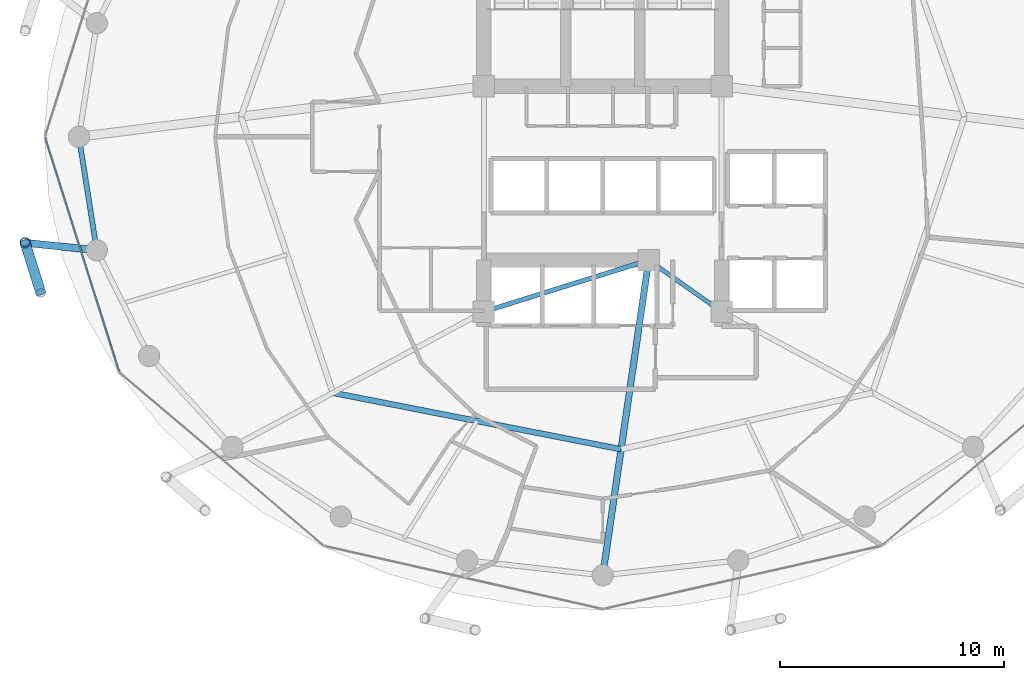
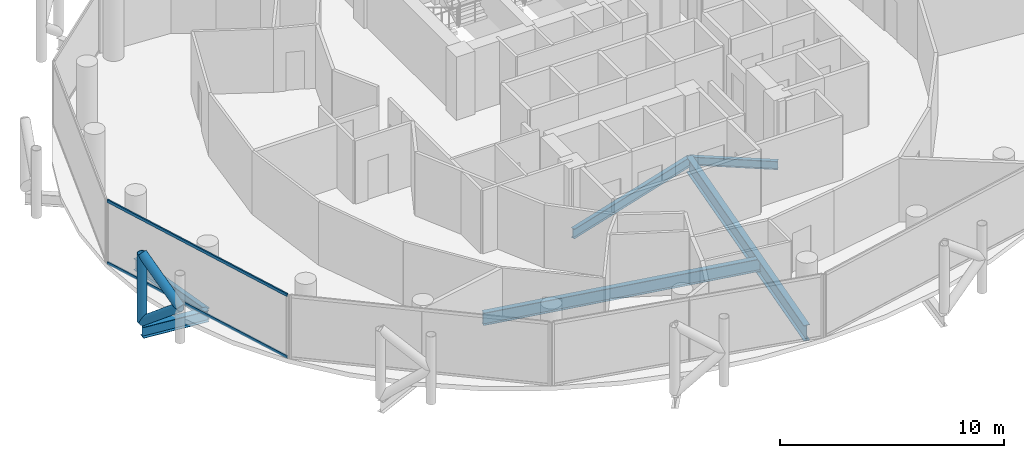
# One storey, part 5 of 26: 6 beams, 5 members, 1 element without a shape of its own.
"""IFC4 building model written with IfcOpenShell, lengths in metres."""

from ifc_helpers import new_model, si_unit, direction, frame, origin, origin_2d, place, context, subcontext, project, spatial, hollow_rectangle, hollow_circle, i_section, extrude, material, layer, layer_set, material_profile, profile_set, type_object, element, aggregate, save


model = new_model("IFC4")

# Units and contexts
model_context = context("Model", 3, precision=1e-05, world=origin(), true_north=direction((0.0, 1.0)))
body_context = subcontext(model_context, "Body", "Model", "MODEL_VIEW")
ifc_project = project(units=[si_unit("LENGTHUNIT", "METRE"), si_unit("AREAUNIT", "SQUARE_METRE"), si_unit("VOLUMEUNIT", "CUBIC_METRE"), si_unit("PLANEANGLEUNIT", "RADIAN"), si_unit("MASSUNIT", "GRAM", prefix="KILO")], contexts=[model_context])

# Site, building, storey
site_placement = place(None, origin())
site = spatial("IfcSite", under=ifc_project, at=site_placement, CompositionType="ELEMENT")
building_placement = place(site_placement, origin())
building = spatial("IfcBuilding", under=site, at=building_placement, Name="Nuhasar Tower", CompositionType="ELEMENT")
storey_placement = place(building_placement, frame((0.0, 0.0, 166.35009765625)))
storey = spatial("IfcBuildingStorey", under=building, at=storey_placement, Name="L40", CompositionType="ELEMENT", Elevation=166.35009765625)

# Beams
ifc_material_1 = material(Name="Steel S355", Category="steel")
ifc_material_profile_1 = material_profile(ifc_material_1, i_section(OverallWidth=0.25390625, OverallDepth=0.68408203125, WebThickness=0.012451171875, FlangeThickness=0.018798828125, at=origin_2d()), Name="W27X94")
ifc_profile_set_1 = profile_set([ifc_material_profile_1], Name="Steel S355")
beam_type_1 = type_object("IfcBeamType", Name="BM-INRING-W27X94", PredefinedType="BEAM", material=ifc_profile_set_1)
beam_1_placement = place(storey_placement, frame((26.972900390625, 15.385986328125, -0.592041015625), z_axis=(0.981359637088, -0.192180286956, 0.0), x_axis=(0.192180286956, 0.981359637088, 0.0)))
element("IfcBeam", 1, at=beam_1_placement, inside=storey, type_object=beam_type_1, Name="L40 Inner Header Beam 01", PredefinedType="BEAM", context=body_context, shape_type="SweptSolid", body=[
    extrude(i_section(OverallWidth=0.25390625, OverallDepth=0.68408203125, WebThickness=0.012451171875, FlangeThickness=0.018798828125, at=origin_2d()), origin(), (0.0, 0.0, 1.0), 13.09130859375),
])
ifc_material_profile_2 = material_profile(ifc_material_1, i_section(OverallWidth=0.2919921875, OverallDepth=0.85888671875, WebThickness=0.01708984375, FlangeThickness=0.031005859375, at=origin_2d()), Name="W33X169")
ifc_profile_set_2 = profile_set([ifc_material_profile_2], Name="Steel S355")
beam_type_2 = type_object("IfcBeamType", Name="BM-POD-W33X169", PredefinedType="BEAM", material=ifc_profile_set_2)
beam_2_placement = place(storey_placement, frame((41.050048828125, 21.300048828125, -0.67919921875), z_axis=(-0.144381604017, -0.989522082837, 0.0), x_axis=(0.989522082837, -0.144381604017, 0.0)))
element("IfcBeam", 2, at=beam_2_placement, inside=storey, type_object=beam_type_2, Name="L40 Radial Floor Girder 02", PredefinedType="BEAM", context=body_context, shape_type="SweptSolid", body=[
    extrude(i_section(OverallWidth=0.2919921875, OverallDepth=0.85888671875, WebThickness=0.01708984375, FlangeThickness=0.031005859375, at=origin_2d()), origin(), (0.0, 0.0, 1.0), 14.19873046875),
])
ifc_material_profile_3 = material_profile(ifc_material_1, i_section(OverallWidth=0.18994140625, OverallDepth=0.45703125, WebThickness=0.009033203125, FlangeThickness=0.014404296875, at=origin_2d()), Name="W18X50")
ifc_profile_set_3 = profile_set([ifc_material_profile_3], Name="Steel S355")
beam_type_3 = type_object("IfcBeamType", Name="BM-RAD-W18X50", PredefinedType="BEAM", material=ifc_profile_set_3)
beam_3_placement = place(storey_placement, frame((41.050048828125, 21.300048828125, -0.47900390625), z_axis=(0.816265428953, -0.577677028708, 0.0), x_axis=(0.577677028708, 0.816265428953, 0.0)))
element("IfcBeam", 3, at=beam_3_placement, inside=storey, type_object=beam_type_3, Name="L40 Core Ring Girder 2", PredefinedType="BEAM", context=body_context, shape_type="SweptSolid", body=[
    extrude(i_section(OverallWidth=0.18994140625, OverallDepth=0.45703125, WebThickness=0.009033203125, FlangeThickness=0.014404296875, at=origin_2d()), origin(), (0.0, 0.0, 1.0), 3.9814453125),
])
ifc_material_profile_4 = material_profile(ifc_material_1, i_section(OverallWidth=0.208984375, OverallDepth=0.532958984375, WebThickness=0.01025390625, FlangeThickness=0.015625, at=origin_2d()), Name="W21X62")
ifc_profile_set_4 = profile_set([ifc_material_profile_4], Name="Steel S355")
beam_type_4 = type_object("IfcBeamType", Name="BM-RAD-W21X62", PredefinedType="BEAM", material=ifc_profile_set_4)
beam_4_placement = place(storey_placement, frame((33.699951171875, 19.0, -0.51708984375), z_axis=(0.954363709454, 0.298646798205, 0.0), x_axis=(-0.298646798205, 0.954363709454, 0.0)))
element("IfcBeam", 4, at=beam_4_placement, inside=storey, type_object=beam_type_4, Name="L40 Core Ring Girder 1", PredefinedType="BEAM", context=body_context, shape_type="SweptSolid", body=[
    extrude(i_section(OverallWidth=0.208984375, OverallDepth=0.532958984375, WebThickness=0.01025390625, FlangeThickness=0.015625, at=origin_2d()), origin(), (0.0, 0.0, 1.0), 7.70166015625),
])
ifc_material_profile_5 = material_profile(ifc_material_1, i_section(OverallWidth=0.22998046875, OverallDepth=0.616943359375, WebThickness=0.01318359375, FlangeThickness=0.022216796875, at=origin_2d()), Name="W24X94")
ifc_profile_set_5 = profile_set([ifc_material_profile_5], Name="Steel S355")
beam_type_5 = type_object("IfcBeamType", Name="BM-RING-W24X94", PredefinedType="SPANDREL", material=ifc_profile_set_5)
beam_5_placement = place(storey_placement, frame((15.64990234375, 26.800048828125, -0.55908203125), z_axis=(0.155426543608, -0.987847452566, 0.0), x_axis=(0.987847452566, 0.155426543608, 0.0)))
element("IfcBeam", 5, at=beam_5_placement, inside=storey, type_object=beam_type_5, Name="L40 Perimeter Ring Spandrel 13", PredefinedType="SPANDREL", context=body_context, shape_type="SweptSolid", body=[
    extrude(i_section(OverallWidth=0.22998046875, OverallDepth=0.616943359375, WebThickness=0.01318359375, FlangeThickness=0.022216796875, at=origin_2d()), origin(), (0.0, 0.0, 1.0), 5.122314453125),
])
ifc_material_profile_6 = material_profile(ifc_material_1, i_section(OverallWidth=0.323974609375, OverallDepth=0.611083984375, WebThickness=0.0126953125, FlangeThickness=0.01904296875, at=origin_2d()), Name="W24X104")
ifc_profile_set_6 = profile_set([ifc_material_profile_6], Name="Steel S355")
beam_type_6 = type_object("IfcBeamType", Name="BM-TIE-W24X104", PredefinedType="BEAM", material=ifc_profile_set_6)
beam_6_placement = place(storey_placement, frame((16.446044921875, 21.739990234375, -0.55615234375), z_axis=(-0.994577694483, 0.103996200111, 0.0), x_axis=(-0.103996200111, -0.994577694483, 0.0)))
element("IfcBeam", 6, at=beam_6_placement, inside=storey, type_object=beam_type_6, Name="L40 Exoskeleton Node Tie Beam 07", PredefinedType="BEAM", context=body_context, shape_type="SweptSolid", body=[
    extrude(i_section(OverallWidth=0.323974609375, OverallDepth=0.611083984375, WebThickness=0.0126953125, FlangeThickness=0.01904296875, at=origin_2d()), origin(), (0.0, 0.0, 1.0), 3.21142578125),
])

# Curtain wall, members
ifc_material_2 = material(Name="Aluminium 6063-T6", Category="aluminium")
ifc_layer = layer(ifc_material_2, 0.199951171875)
ifc_layer_set = layer_set([ifc_layer], Name="Aluminium 6063-T6")
curtain_wall_type = type_object("IfcCurtainWallType", Name="CW-Z2-HTL", PredefinedType="NOTDEFINED", material=ifc_layer_set)
curtain_wall_placement = place(storey_placement, origin())
curtain_wall = element("IfcCurtainWall", 7, at=curtain_wall_placement, inside=storey, type_object=curtain_wall_type, Name="L40 Unitised Curtain Wall 07", PredefinedType="NOTDEFINED")
ifc_material_profile_7 = material_profile(ifc_material_2, hollow_rectangle(XDim=0.070068359375, YDim=0.159912109375, WallThickness=0.00439453125, at=origin_2d()), Name="CWT-3")
ifc_profile_set_7 = profile_set([ifc_material_profile_7], Name="Aluminium 6063-T6")
member_type_1 = type_object("IfcMemberType", Name="CW-TRN-S3", PredefinedType="USERDEFINED", material=ifc_profile_set_7)
member_1_placement = place(storey_placement, frame((14.1611328125, 26.733154296875, 0.034912109375), z_axis=(0.301608163352, -0.953431967053, 0.0), x_axis=(0.953431967053, 0.301608163352, 0.0)))
member_1 = element("IfcMember", 8, at=member_1_placement, type_object=member_type_1, Name="CW-Z2 transom 1.1", ObjectType="TRANSOM", PredefinedType="USERDEFINED", context=body_context, shape_type="SweptSolid", body=[
    extrude(hollow_rectangle(XDim=0.070068359375, YDim=0.159912109375, WallThickness=0.00439453125, at=origin_2d()), origin(), (0.0, 0.0, 1.0), 10.904296875),
])
member_2_placement = place(storey_placement, frame((14.1611328125, 26.733154296875, 3.414794921875), z_axis=(0.301608163352, -0.953431967053, 0.0), x_axis=(0.953431967053, 0.301608163352, 0.0)))
member_2 = element("IfcMember", 9, at=member_2_placement, type_object=member_type_1, Name="CW-Z2 transom 1.2", ObjectType="TRANSOM", PredefinedType="USERDEFINED", context=body_context, shape_type="SweptSolid", body=[
    extrude(hollow_rectangle(XDim=0.070068359375, YDim=0.159912109375, WallThickness=0.00439453125, at=origin_2d()), origin(), (0.0, 0.0, 1.0), 10.904296875),
])
aggregate(curtain_wall, [member_1, member_2])

# Members
ifc_material_3 = material(Name="Steel S460", Category="steel")
ifc_material_profile_8 = material_profile(ifc_material_3, hollow_circle(Radius=0.228515625, WallThickness=0.022216796875, at=origin_2d()), Name="HSS457X22.2")
ifc_profile_set_8 = profile_set([ifc_material_profile_8], Name="Steel S460")
member_type_2 = type_object("IfcMemberType", Name="EXO-BRONZE-457", PredefinedType="BRACE", material=ifc_profile_set_8)
member_3_placement = place(storey_placement, frame((13.251953125, 22.073974609375, 0.0), z_axis=(0.0, 0.0, 1.0), x_axis=(1.0, 0.0, 0.0)))
element("IfcMember", 10, at=member_3_placement, inside=storey, type_object=member_type_2, Name="L40 Exoskeleton Chord Column EC-07A", PredefinedType="BRACE", context=body_context, shape_type="SweptSolid", body=[
    extrude(hollow_circle(Radius=0.228515625, WallThickness=0.022216796875, at=origin_2d()), origin(), (0.0, 0.0, 1.0), 3.699951171875),
])
member_4_placement = place(storey_placement, frame((13.251953125, 22.073974609375, 0.0), z_axis=(0.233067628236, -0.74361641074, 0.626669062861), x_axis=(0.954228474306, 0.29907861646, 0.0)))
element("IfcMember", 11, at=member_4_placement, inside=storey, type_object=member_type_2, Name="L40 Bronze Diagrid Brace W1-07", PredefinedType="BRACE", context=body_context, shape_type="SweptSolid", body=[
    extrude(hollow_circle(Radius=0.228515625, WallThickness=0.022216796875, at=origin_2d()), origin(), (0.0, 0.0, 1.0), 2.951904296875),
])
member_5_placement = place(storey_placement, frame((13.93994140625, 19.87890625, 1.849853515625), z_axis=(-0.233055548538, 0.743577869731, 0.626719285599), x_axis=(-0.954228474306, -0.29907861646, 0.0)))
element("IfcMember", 12, at=member_5_placement, inside=storey, type_object=member_type_2, Name="L40 Bronze Diagrid Brace W2-07", PredefinedType="BRACE", context=body_context, shape_type="SweptSolid", body=[
    extrude(hollow_circle(Radius=0.228515625, WallThickness=0.022216796875, at=origin_2d()), origin(), (0.0, 0.0, 1.0), 2.9521484375),
])

save(model, "model.ifc")
